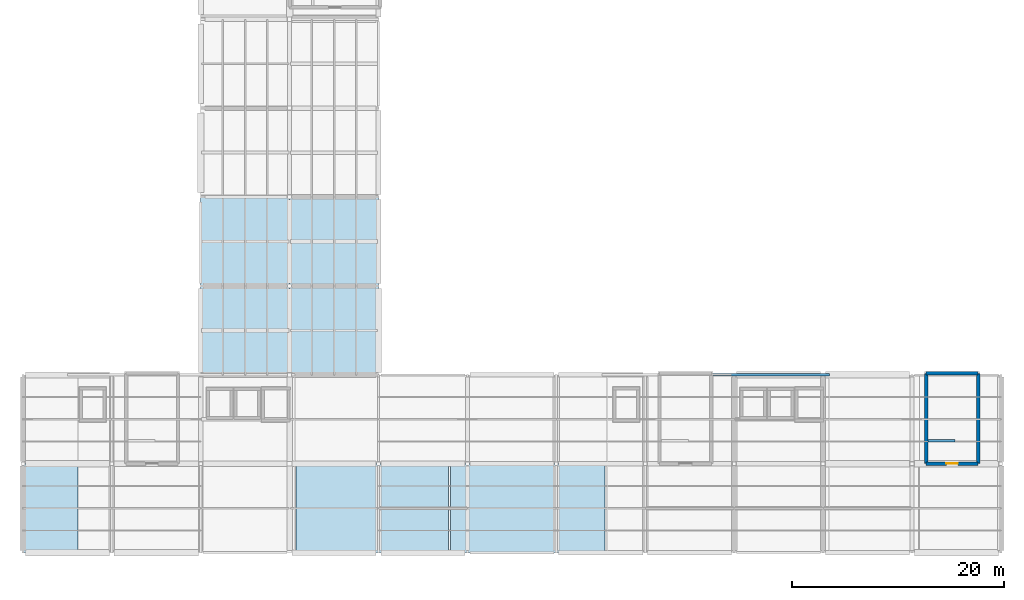
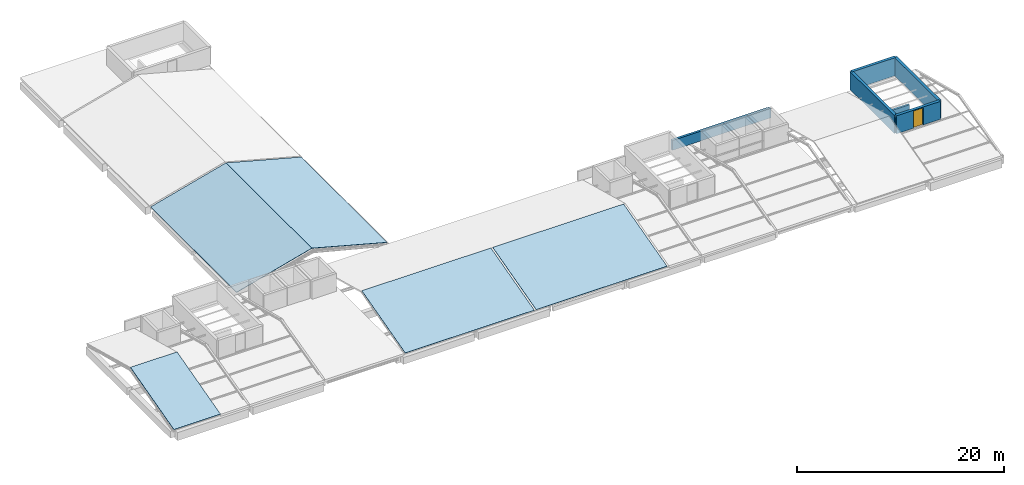
# One storey, part 16 of 17: 6 walls, 5 roofs, 1 door, 1 opening.
"""IFC4 building model written with IfcOpenShell, lengths in metres."""

from ifc_helpers import new_model, si_unit, derived_unit, direction, frame, frame_2d, origin, place, context, subcontext, project, spatial, polyline, rectangle, outline, extrude, material, layer, layer_set, type_object, element, fill, save


model = new_model("IFC4")

# Units and contexts
model_context = context("Model", 3, precision=1e-05, world=origin(), true_north=direction((0.0, 1.0)))
body_context = subcontext(model_context, "Body", "Model", "MODEL_VIEW")
ifc_project = project(units=[si_unit("LENGTHUNIT", "METRE"), si_unit("AREAUNIT", "SQUARE_METRE"), si_unit("VOLUMEUNIT", "CUBIC_METRE"), si_unit("PLANEANGLEUNIT", "RADIAN"), si_unit("MASSUNIT", "GRAM", prefix="KILO"), derived_unit("THERMALTRANSMITTANCEUNIT", [(si_unit("POWERUNIT", "WATT"), 1), (si_unit("LENGTHUNIT", "METRE"), -2), (si_unit("THERMODYNAMICTEMPERATUREUNIT", "KELVIN"), -1)])], contexts=[model_context])

# Site, building, storey
site_placement = place(None, origin())
site = spatial("IfcSite", under=ifc_project, at=site_placement, CompositionType="ELEMENT")
building_placement = place(site_placement, origin())
building = spatial("IfcBuilding", under=site, at=building_placement, Name="Barrovel Congress Hotel", CompositionType="ELEMENT")
storey_placement = place(building_placement, frame((0.0, 0.0, 47.10009765625)))
storey = spatial("IfcBuildingStorey", under=building, at=storey_placement, Name="RF", CompositionType="ELEMENT", Elevation=47.10009765625)

# Wall, opening, door
ifc_material_1 = material(Name="Fired Clay Brick Masonry", Category="masonry")
ifc_layer_1 = layer(ifc_material_1, 0.320068359375)
ifc_layer_set_1 = layer_set([ifc_layer_1], Name="Fired Clay Brick Masonry")
wall_type_1 = type_object("IfcWallType", Name="EW-BRK320", PredefinedType="STANDARD", material=ifc_layer_set_1)
wall_1_placement = place(storey_placement, frame((102.14990234375, 12.610107421875, 0.0), z_axis=(0.0, 0.0, 1.0), x_axis=(1.0, 0.0, 0.0)))
wall_1 = element("IfcWall", 1, at=wall_1_placement, inside=storey, type_object=wall_type_1, Name="HHW:XS-03:S", PredefinedType="STANDARD", context=body_context, shape_type="SweptSolid", body=[
    extrude(rectangle(XDim=4.900146484375, YDim=0.320068359375, at=frame_2d((2.4501953125, 0.0))), origin(), (0.0, 0.0, 1.0), 2.119873046875),
])
opening_placement = place(wall_1_placement, frame((3.0, 0.0, 0.0), z_axis=(0.0, 0.0, 1.0), x_axis=(-1.0, 0.0, 0.0)))
opening = element("IfcOpeningElement", 2, at=opening_placement, cuts=wall_1, Name="Opening TD-01", PredefinedType="OPENING", context=body_context, shape_type="SweptSolid", body=[
    extrude(rectangle(XDim=1.10009765625, YDim=2.02001953125, at=frame_2d((0.550048828125, 1.010009765625))), frame((0.0, 0.169921875, 0.0), z_axis=(0.0, -1.0, 0.0), x_axis=(1.0, 0.0, 0.0)), (0.0, 0.0, 1.0), 0.340087890625),
])
ifc_material_2 = material(Name="Painted Hollow-Metal Steel Door", Category="steel")
door_type = type_object("IfcDoorType", Name="EDR-TD-01", OperationType="NOTDEFINED", PredefinedType="TRAPDOOR", material=ifc_material_2)
door_placement = place(opening_placement, origin())
door = element("IfcDoor", 3, at=door_placement, inside=storey, type_object=door_type, Name="Roof Maintenance Access Hatch Door XS-03", OperationType="SINGLE_SWING_LEFT", OverallHeight=2.02001953125, OverallWidth=1.10009765625, PredefinedType="TRAPDOOR", context=body_context, shape_type="SweptSolid", body=[
    extrude(rectangle(XDim=1.10009765625, YDim=2.02001953125, at=frame_2d((0.550048828125, 1.010009765625))), frame((0.0, 0.02490234375, 0.0), z_axis=(0.0, -1.0, 0.0), x_axis=(1.0, 0.0, 0.0)), (0.0, 0.0, 1.0), 0.050048828125),
])
fill(opening, door)

# Walls
wall_2_placement = place(storey_placement, frame((107.050048828125, 12.610107421875, 0.0), z_axis=(0.0, 0.0, 1.0), x_axis=(0.0, 1.0, 0.0)))
element("IfcWall", 4, at=wall_2_placement, inside=storey, type_object=wall_type_1, Name="HHW:XS-03:E", PredefinedType="STANDARD", context=body_context, shape_type="SweptSolid", body=[
    extrude(rectangle(XDim=8.539794921875, YDim=0.320068359375, at=frame_2d((4.27001953125, 0.0))), origin(), (0.0, 0.0, 1.0), 2.119873046875),
])
wall_3_placement = place(storey_placement, frame((107.050048828125, 21.14990234375, 0.0), z_axis=(0.0, 0.0, 1.0), x_axis=(-1.0, 0.0, 0.0)))
element("IfcWall", 5, at=wall_3_placement, inside=storey, type_object=wall_type_1, Name="HHW:XS-03:N", PredefinedType="STANDARD", context=body_context, shape_type="SweptSolid", body=[
    extrude(rectangle(XDim=4.900146484375, YDim=0.320068359375, at=frame_2d((2.4501953125, 0.0))), origin(), (0.0, 0.0, 1.0), 2.119873046875),
])
wall_4_placement = place(storey_placement, frame((102.14990234375, 21.14990234375, 0.0), z_axis=(0.0, 0.0, 1.0), x_axis=(0.0, -1.0, 0.0)))
element("IfcWall", 6, at=wall_4_placement, inside=storey, type_object=wall_type_1, Name="HHW:XS-03:W", PredefinedType="STANDARD", context=body_context, shape_type="SweptSolid", body=[
    extrude(rectangle(XDim=8.539794921875, YDim=0.320068359375, at=frame_2d((4.27001953125, 0.0))), origin(), (0.0, 0.0, 1.0), 2.119873046875),
])
ifc_layer_2 = layer(ifc_material_1, 0.219970703125)
ifc_layer_set_2 = layer_set([ifc_layer_2], Name="Fired Clay Brick Masonry")
wall_type_2 = type_object("IfcWallType", Name="EW-PAR220", PredefinedType="PARAPET", material=ifc_layer_set_2)
wall_5_placement = place(storey_placement, frame((102.320068359375, 14.780029296875, 0.0), z_axis=(0.0, 0.0, 1.0), x_axis=(1.0, 0.0, 0.0)))
element("IfcWall", 7, at=wall_5_placement, inside=storey, type_object=wall_type_2, Name="STAIR:XS-03:TOP-GR", PredefinedType="PARAPET", context=body_context, shape_type="SweptSolid", body=[
    extrude(rectangle(XDim=2.559814453125, YDim=0.219970703125, at=frame_2d((1.27978515625, 0.0))), origin(), (0.0, 0.0, 1.0), 1.139892578125),
])
ifc_layer_3 = layer(ifc_material_1, 0.260009765625)
ifc_layer_set_3 = layer_set([ifc_layer_3], Name="Fired Clay Brick Masonry")
wall_type_3 = type_object("IfcWallType", Name="EW-PAR260", PredefinedType="PARAPET", material=ifc_layer_set_3)
wall_6_placement = place(storey_placement, frame((82.010009765625, 21.0, 0.0), z_axis=(0.0, 0.0, 1.0), x_axis=(1.0, 0.0, 0.0)))
element("IfcWall", 8, at=wall_6_placement, inside=storey, type_object=wall_type_3, Name="PAR:RF:12", PredefinedType="PARAPET", context=body_context, shape_type="SweptSolid", body=[
    extrude(rectangle(XDim=10.989990234375, YDim=0.260009765625, at=frame_2d((5.4951171875, 0.0))), origin(), (0.0, 0.0, 1.0), 1.14990234375),
])

# Roofs
ifc_material_3 = material(Name="Concrete C35", Category="concrete")
ifc_layer_4 = layer(ifc_material_3, 0.159912109375)
ifc_layer_set_4 = layer_set([ifc_layer_4], Name="Concrete C35")
roof_type_1 = type_object("IfcRoofType", Name="ROOF-GABLE", PredefinedType="GABLE_ROOF", material=ifc_layer_set_4)
roof_1_placement = place(storey_placement, frame((16.800048828125, 4.199951171875, 0.02001953125), z_axis=(0.0, -0.258810457345, 0.965928127331), x_axis=(1.0, 0.0, 0.0)))
element("IfcRoof", 9, at=roof_1_placement, inside=storey, type_object=roof_type_1, Name="Hotel Attic Gable Roof 1", PredefinedType="GABLE_ROOF", context=body_context, shape_type="SweptSolid", body=[
    extrude(outline(polyline([(0.0, 0.0), (5.199951171875, 0.0), (5.199951171875, 8.696450850423808), (0.0, 8.696450850423808), (0.0, 0.0)])), origin(), (0.0, 0.0, -1.0), 0.06005859375),
])
roof_2_placement = place(storey_placement, frame((42.60009765625, 4.199951171875, 0.02001953125), z_axis=(0.0, -0.258810457345, 0.965928127331), x_axis=(1.0, 0.0, 0.0)))
element("IfcRoof", 10, at=roof_2_placement, inside=storey, type_object=roof_type_1, Name="Hotel Attic Gable Roof 2", PredefinedType="GABLE_ROOF", context=body_context, shape_type="SweptSolid", body=[
    extrude(outline(polyline([(0.0, 0.0), (14.39990234375, 0.0), (14.39990234375, 8.696450850423808), (0.0, 8.696450850423808), (0.0, 0.0)])), origin(), (0.0, 0.0, -1.0), 0.06005859375),
])
roof_3_placement = place(storey_placement, frame((57.199951171875, 4.199951171875, 0.02001953125), z_axis=(0.0, -0.258810457345, 0.965928127331), x_axis=(1.0, 0.0, 0.0)))
element("IfcRoof", 11, at=roof_3_placement, inside=storey, type_object=roof_type_1, Name="Hotel Attic Gable Roof 3", PredefinedType="GABLE_ROOF", context=body_context, shape_type="SweptSolid", body=[
    extrude(outline(polyline([(0.0, 0.0), (14.60009765625, 0.0), (14.60009765625, 8.696450850423808), (0.0, 8.696450850423808), (0.0, 0.0)])), origin(), (0.0, 0.0, -1.0), 0.06005859375),
])
ifc_layer_5 = layer(ifc_material_3, 0.159912109375)
ifc_layer_set_5 = layer_set([ifc_layer_5], Name="Concrete C35")
roof_type_2 = type_object("IfcRoofType", Name="ROOF-HIP", PredefinedType="HIP_ROOF", material=ifc_layer_set_5)
for number, where, z_axis, x_axis, name in (
    (12, (33.60009765625, 21.199951171875, 0.02001953125), (-0.258817475711, 0.0, 0.965926246805), (0.965926246805, 0.0, 0.258817475711), "West Attic Hipped Roof 3"),
    (13, (42.0, 21.199951171875, 2.270751953125), (0.258817475711, 0.0, 0.965926246805), (0.965926246805, 0.0, -0.258817475711), "West Attic Hipped Roof 5"),
):
    element("IfcRoof", number, at=place(storey_placement, frame(where, z_axis=z_axis, x_axis=x_axis)), inside=storey, type_object=roof_type_2, Name=name, PredefinedType="HIP_ROOF", context=body_context, shape_type="SweptSolid", body=[
        extrude(outline(polyline([(0.0, 0.0), (8.69621502835665, 0.0), (8.69621502835665, 16.60009765625), (0.0, 16.60009765625), (0.0, 0.0)])), origin(), (0.0, 0.0, -1.0), 0.06005859375),
    ])

save(model, "model.ifc")
